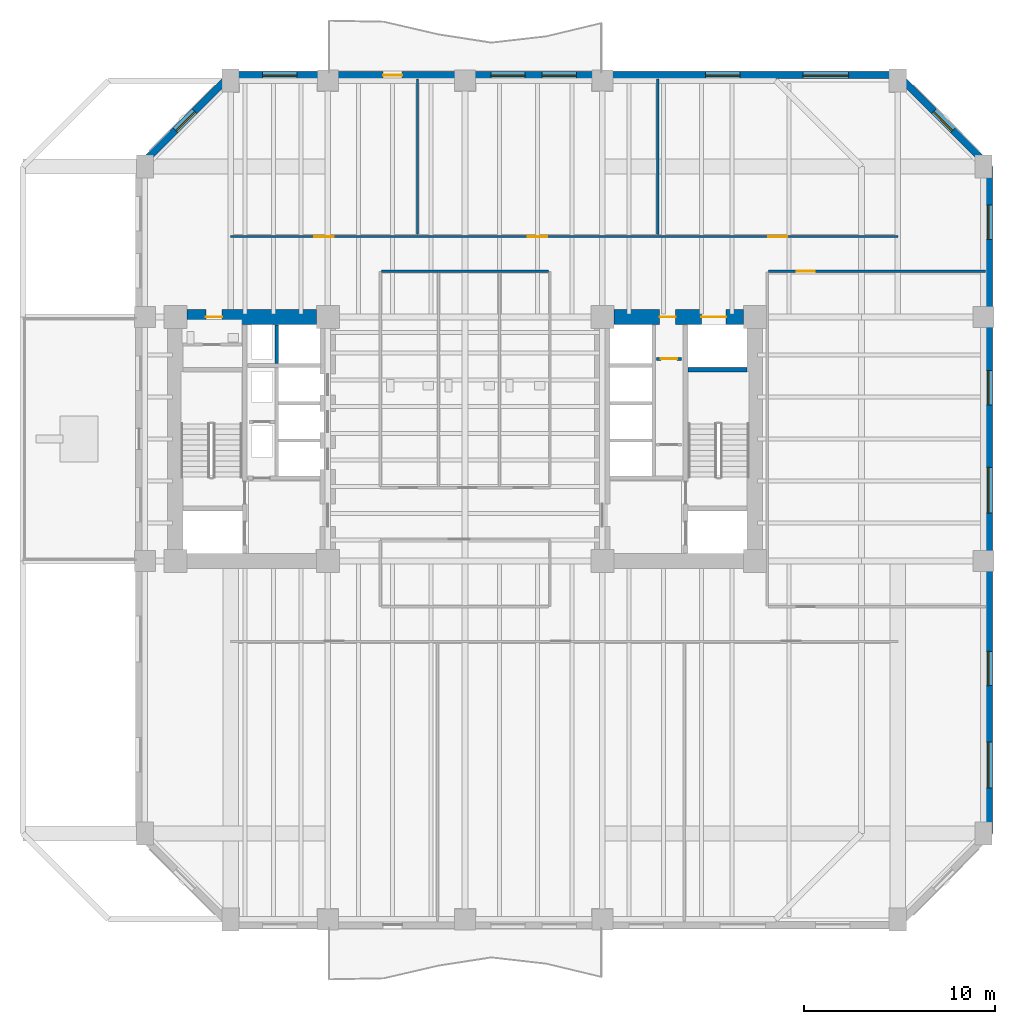
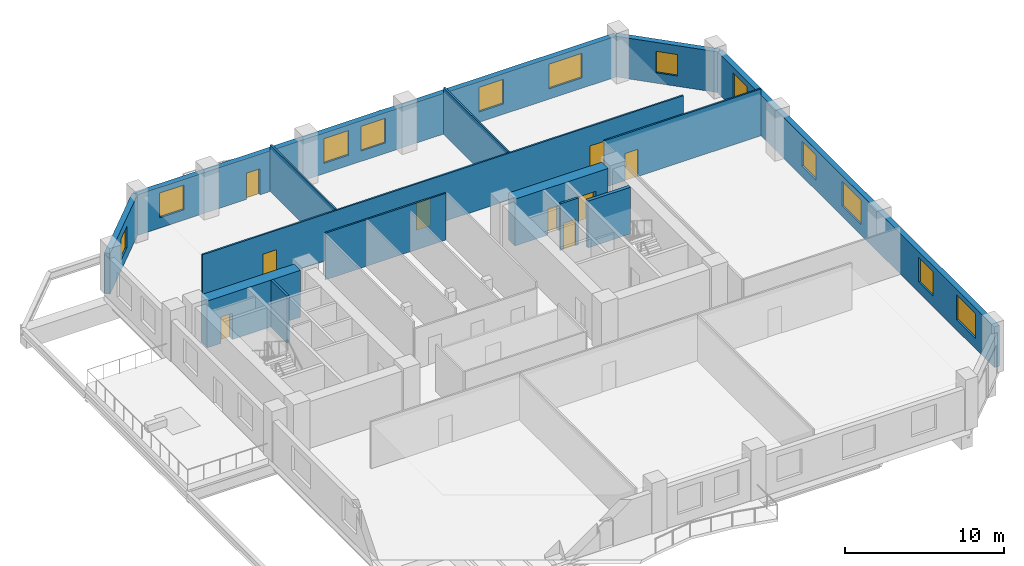
# One storey, part 5 of 11: 14 walls, 12 windows, 9 doors, 21 openings.
"""IFC4 building model written with IfcOpenShell, lengths in metres."""

from ifc_helpers import new_model, si_unit, direction, frame, frame_2d, origin, place, context, subcontext, project, spatial, rectangle, extrude, material, layer, layer_set, type_object, element, fill, save


model = new_model("IFC4")

# Units and contexts
model_context = context("Model", 3, precision=1e-05, world=origin(), true_north=direction((0.0, 1.0)))
body_context = subcontext(model_context, "Body", "Model", "MODEL_VIEW")
ifc_project = project(units=[si_unit("LENGTHUNIT", "METRE"), si_unit("AREAUNIT", "SQUARE_METRE"), si_unit("VOLUMEUNIT", "CUBIC_METRE"), si_unit("PLANEANGLEUNIT", "RADIAN"), si_unit("MASSUNIT", "GRAM", prefix="KILO")], contexts=[model_context])

# Site, building, storey
site_placement = place(None, origin())
site = spatial("IfcSite", under=ifc_project, at=site_placement, CompositionType="ELEMENT")
building_placement = place(site_placement, origin())
building = spatial("IfcBuilding", under=site, at=building_placement, Name="Kranthara Brick Stack", CompositionType="ELEMENT")
storey_placement = place(building_placement, frame((0.0, 0.0, 47.699951171875)))
storey = spatial("IfcBuildingStorey", under=building, at=storey_placement, Name="L11", CompositionType="ELEMENT", Elevation=47.699951171875)

# Wall, opening, window
ifc_material_1 = material(Name="Kiln-fired clay brick masonry M15", Category="masonry")
ifc_layer_1 = layer(ifc_material_1, 0.3798828125)
ifc_layer_set_1 = layer_set([ifc_layer_1], Name="Kiln-fired clay brick masonry M15")
wall_type_1 = type_object("IfcWallType", Name="WL-BRK-PIER-380", PredefinedType="STANDARD", material=ifc_layer_set_1)
wall_1_placement = place(storey_placement, frame((10.909912109375, 41.5, 0.0), z_axis=(0.0, 0.0, 1.0), x_axis=(0.707106781187, 0.707106781187, 0.0)))
wall_1 = element("IfcWall", 1, at=wall_1_placement, inside=storey, type_object=wall_type_1, Name="L11 Exterior Brick Facade Wall NW 1", PredefinedType="STANDARD", context=body_context, shape_type="SweptSolid", body=[
    extrude(rectangle(XDim=6.774169921875, YDim=0.3798828125, at=frame_2d((3.38720703125, 0.0))), origin(), (0.0, 0.0, 1.0), 3.135009765625),
])
opening_1_placement = place(wall_1_placement, frame((2.68701171875, 0.0, 0.800048828125)))
opening_1 = element("IfcOpeningElement", 2, at=opening_1_placement, cuts=wall_1, Name="Opening WN10", PredefinedType="OPENING", context=body_context, shape_type="SweptSolid", body=[
    extrude(rectangle(XDim=1.39990234375, YDim=1.64990234375, at=frame_2d((0.699951171875, 0.824951171875))), frame((0.0, 0.199951171875, 0.0), z_axis=(0.0, -1.0, 0.0), x_axis=(1.0, 0.0, 0.0)), (0.0, 0.0, 1.0), 0.39990234375),
])
ifc_material_2 = material(Name="Double-glazed low-E solar control glass", Category="glass")
window_type_1 = type_object("IfcWindowType", Name="WN-CHM-1400x1750", PartitioningType="SINGLE_PANEL", PredefinedType="WINDOW", material=ifc_material_2)
window_1_placement = place(opening_1_placement, origin())
window_1 = element("IfcWindow", 3, at=window_1_placement, inside=storey, type_object=window_type_1, Name="L11 NW Chamfer Corner Window", OverallHeight=1.64990234375, OverallWidth=1.39990234375, PartitioningType="SINGLE_PANEL", PredefinedType="WINDOW", context=body_context, shape_type="SweptSolid", body=[
    extrude(rectangle(XDim=1.39990234375, YDim=1.64990234375, at=frame_2d((0.699951171875, 0.824951171875))), frame((0.0, -0.010009765625, 0.0), z_axis=(0.0, -1.0, 0.0), x_axis=(1.0, 0.0, 0.0)), (0.0, 0.0, 1.0), 0.06005859375),
])
fill(opening_1, window_1)

# Wall, openings, door, windows
wall_2_placement = place(storey_placement, frame((15.699951171875, 46.2900390625, 0.0), z_axis=(0.0, 0.0, 1.0), x_axis=(1.0, 0.0, 0.0)))
wall_2 = element("IfcWall", 4, at=wall_2_placement, inside=storey, type_object=wall_type_1, Name="L11 Exterior Brick Facade Wall NORTH 1", PredefinedType="STANDARD", context=body_context, shape_type="SweptSolid", body=[
    extrude(rectangle(XDim=35.0, YDim=0.3798828125, at=frame_2d((17.5, 0.0))), origin(), (0.0, 0.0, 1.0), 3.135009765625),
])
opening_2_placement = place(wall_2_placement, frame((8.0, 0.0, 0.0)))
opening_2 = element("IfcOpeningElement", 5, at=opening_2_placement, cuts=wall_2, Name="Opening D03", PredefinedType="OPENING", context=body_context, shape_type="SweptSolid", body=[
    extrude(rectangle(XDim=1.0, YDim=2.02001953125, at=frame_2d((0.5, 1.010009765625))), frame((0.0, 0.199951171875, 0.0), z_axis=(0.0, -1.0, 0.0), x_axis=(1.0, 0.0, 0.0)), (0.0, 0.0, 1.0), 0.39990234375),
])
opening_3_placement = place(wall_2_placement, frame((1.675048828125, 0.0, 0.800048828125)))
opening_3 = element("IfcOpeningElement", 6, at=opening_3_placement, cuts=wall_2, Name="Opening WN01", PredefinedType="OPENING", context=body_context, shape_type="SweptSolid", body=[
    extrude(rectangle(XDim=1.800048828125, YDim=1.89990234375, at=frame_2d((0.89990234375, 0.949951171875))), frame((0.0, 0.199951171875, 0.0), z_axis=(0.0, -1.0, 0.0), x_axis=(1.0, 0.0, 0.0)), (0.0, 0.0, 1.0), 0.39990234375),
])
opening_4_placement = place(wall_2_placement, frame((13.656005859375, 0.0, 0.800048828125)))
opening_4 = element("IfcOpeningElement", 7, at=opening_4_placement, cuts=wall_2, Name="Opening WN01", PredefinedType="OPENING", context=body_context, shape_type="SweptSolid", body=[
    extrude(rectangle(XDim=1.800048828125, YDim=1.89990234375, at=frame_2d((0.89990234375, 0.949951171875))), frame((0.0, 0.199951171875, 0.0), z_axis=(0.0, -1.0, 0.0), x_axis=(1.0, 0.0, 0.0)), (0.0, 0.0, 1.0), 0.39990234375),
])
opening_5_placement = place(wall_2_placement, frame((16.343994140625, 0.0, 0.800048828125)))
opening_5 = element("IfcOpeningElement", 8, at=opening_5_placement, cuts=wall_2, Name="Opening WN01", PredefinedType="OPENING", context=body_context, shape_type="SweptSolid", body=[
    extrude(rectangle(XDim=1.800048828125, YDim=1.89990234375, at=frame_2d((0.89990234375, 0.949951171875))), frame((0.0, 0.199951171875, 0.0), z_axis=(0.0, -1.0, 0.0), x_axis=(1.0, 0.0, 0.0)), (0.0, 0.0, 1.0), 0.39990234375),
])
opening_6_placement = place(wall_2_placement, frame((24.925048828125, 0.0, 0.800048828125)))
opening_6 = element("IfcOpeningElement", 9, at=opening_6_placement, cuts=wall_2, Name="Opening WN01", PredefinedType="OPENING", context=body_context, shape_type="SweptSolid", body=[
    extrude(rectangle(XDim=1.800048828125, YDim=1.89990234375, at=frame_2d((0.89990234375, 0.949951171875))), frame((0.0, 0.199951171875, 0.0), z_axis=(0.0, -1.0, 0.0), x_axis=(1.0, 0.0, 0.0)), (0.0, 0.0, 1.0), 0.39990234375),
])
opening_7_placement = place(wall_2_placement, frame((30.02490234375, 0.0, 0.800048828125)))
opening_7 = element("IfcOpeningElement", 10, at=opening_7_placement, cuts=wall_2, Name="Opening WN02", PredefinedType="OPENING", context=body_context, shape_type="SweptSolid", body=[
    extrude(rectangle(XDim=2.39990234375, YDim=1.89990234375, at=frame_2d((1.199951171875, 0.949951171875))), frame((0.0, 0.199951171875, 0.0), z_axis=(0.0, -1.0, 0.0), x_axis=(1.0, 0.0, 0.0)), (0.0, 0.0, 1.0), 0.39990234375),
])
ifc_material_3 = material(Name="Bronze anodised aluminium and laminated glass", Category="aluminium")
door_type_1 = type_object("IfcDoorType", Name="DR-BALC-1000", OperationType="NOTDEFINED", PredefinedType="DOOR", material=ifc_material_3)
door_1_placement = place(opening_2_placement, origin())
door_1 = element("IfcDoor", 11, at=door_1_placement, inside=storey, type_object=door_type_1, Name="L11 North Balcony Terrace Door", OperationType="SINGLE_SWING_RIGHT", OverallHeight=2.02001953125, OverallWidth=1.0, PredefinedType="DOOR", context=body_context, shape_type="SweptSolid", body=[
    extrude(rectangle(XDim=1.0, YDim=2.02001953125, at=frame_2d((0.5, 1.010009765625))), frame((0.0, 0.02490234375, 0.0), z_axis=(0.0, -1.0, 0.0), x_axis=(1.0, 0.0, 0.0)), (0.0, 0.0, 1.0), 0.050048828125),
])
fill(opening_2, door_1)
ifc_material_4 = material(Name="Double-glazed low-E solar control glass", Category="glass")
window_type_2 = type_object("IfcWindowType", Name="WN-OFF-1800x2000", PartitioningType="SINGLE_PANEL", PredefinedType="WINDOW", material=ifc_material_4)
window_2_placement = place(opening_3_placement, origin())
window_2 = element("IfcWindow", 12, at=window_2_placement, inside=storey, type_object=window_type_2, Name="L11 North Deep-Set Brick Window 01", OverallHeight=1.89990234375, OverallWidth=1.800048828125, PartitioningType="SINGLE_PANEL", PredefinedType="WINDOW", context=body_context, shape_type="SweptSolid", body=[
    extrude(rectangle(XDim=1.800048828125, YDim=1.89990234375, at=frame_2d((0.89990234375, 0.949951171875))), frame((0.0, -0.010009765625, 0.0), z_axis=(0.0, -1.0, 0.0), x_axis=(1.0, 0.0, 0.0)), (0.0, 0.0, 1.0), 0.06005859375),
])
fill(opening_3, window_2)
window_3_placement = place(opening_4_placement, origin())
window_3 = element("IfcWindow", 13, at=window_3_placement, inside=storey, type_object=window_type_2, Name="L11 North Deep-Set Brick Window 02", OverallHeight=1.89990234375, OverallWidth=1.800048828125, PartitioningType="SINGLE_PANEL", PredefinedType="WINDOW", context=body_context, shape_type="SweptSolid", body=[
    extrude(rectangle(XDim=1.800048828125, YDim=1.89990234375, at=frame_2d((0.89990234375, 0.949951171875))), frame((0.0, -0.010009765625, 0.0), z_axis=(0.0, -1.0, 0.0), x_axis=(1.0, 0.0, 0.0)), (0.0, 0.0, 1.0), 0.06005859375),
])
fill(opening_4, window_3)
window_4_placement = place(opening_5_placement, origin())
window_4 = element("IfcWindow", 14, at=window_4_placement, inside=storey, type_object=window_type_2, Name="L11 North Deep-Set Brick Window 03", OverallHeight=1.89990234375, OverallWidth=1.800048828125, PartitioningType="SINGLE_PANEL", PredefinedType="WINDOW", context=body_context, shape_type="SweptSolid", body=[
    extrude(rectangle(XDim=1.800048828125, YDim=1.89990234375, at=frame_2d((0.89990234375, 0.949951171875))), frame((0.0, -0.010009765625, 0.0), z_axis=(0.0, -1.0, 0.0), x_axis=(1.0, 0.0, 0.0)), (0.0, 0.0, 1.0), 0.06005859375),
])
fill(opening_5, window_4)
window_5_placement = place(opening_6_placement, origin())
window_5 = element("IfcWindow", 15, at=window_5_placement, inside=storey, type_object=window_type_2, Name="L11 North Deep-Set Brick Window 04", OverallHeight=1.89990234375, OverallWidth=1.800048828125, PartitioningType="SINGLE_PANEL", PredefinedType="WINDOW", context=body_context, shape_type="SweptSolid", body=[
    extrude(rectangle(XDim=1.800048828125, YDim=1.89990234375, at=frame_2d((0.89990234375, 0.949951171875))), frame((0.0, -0.010009765625, 0.0), z_axis=(0.0, -1.0, 0.0), x_axis=(1.0, 0.0, 0.0)), (0.0, 0.0, 1.0), 0.06005859375),
])
fill(opening_6, window_5)
ifc_material_5 = material(Name="Double-glazed low-E solar control glass", Category="glass")
window_type_3 = type_object("IfcWindowType", Name="WN-OFF-2400x2000", PartitioningType="DOUBLE_PANEL_VERTICAL", PredefinedType="WINDOW", material=ifc_material_5)
window_6_placement = place(opening_7_placement, origin())
window_6 = element("IfcWindow", 16, at=window_6_placement, inside=storey, type_object=window_type_3, Name="L11 North Deep-Set Brick Window 05", OverallHeight=1.89990234375, OverallWidth=2.39990234375, PartitioningType="SINGLE_PANEL", PredefinedType="WINDOW", context=body_context, shape_type="SweptSolid", body=[
    extrude(rectangle(XDim=2.39990234375, YDim=1.89990234375, at=frame_2d((1.199951171875, 0.949951171875))), frame((0.0, -0.010009765625, 0.0), z_axis=(0.0, -1.0, 0.0), x_axis=(1.0, 0.0, 0.0)), (0.0, 0.0, 1.0), 0.06005859375),
])
fill(opening_7, window_6)

# Wall, opening, window
wall_3_placement = place(storey_placement, frame((50.699951171875, 46.2900390625, 0.0), z_axis=(0.0, 0.0, 1.0), x_axis=(0.707106781187, -0.707106781187, 0.0)))
wall_3 = element("IfcWall", 17, at=wall_3_placement, inside=storey, type_object=wall_type_1, Name="L11 Exterior Brick Facade Wall NE 1", PredefinedType="STANDARD", context=body_context, shape_type="SweptSolid", body=[
    extrude(rectangle(XDim=6.774169921875, YDim=0.3798828125, at=frame_2d((3.38720703125, 0.0))), origin(), (0.0, 0.0, 1.0), 3.135009765625),
])
opening_8_placement = place(wall_3_placement, frame((2.68701171875, 0.0, 0.800048828125)))
opening_8 = element("IfcOpeningElement", 18, at=opening_8_placement, cuts=wall_3, Name="Opening WN10", PredefinedType="OPENING", context=body_context, shape_type="SweptSolid", body=[
    extrude(rectangle(XDim=1.39990234375, YDim=1.64990234375, at=frame_2d((0.699951171875, 0.824951171875))), frame((0.0, 0.199951171875, 0.0), z_axis=(0.0, -1.0, 0.0), x_axis=(1.0, 0.0, 0.0)), (0.0, 0.0, 1.0), 0.39990234375),
])
window_7_placement = place(opening_8_placement, origin())
window_7 = element("IfcWindow", 19, at=window_7_placement, inside=storey, type_object=window_type_1, Name="L11 NE Chamfer Corner Window", OverallHeight=1.64990234375, OverallWidth=1.39990234375, PartitioningType="SINGLE_PANEL", PredefinedType="WINDOW", context=body_context, shape_type="SweptSolid", body=[
    extrude(rectangle(XDim=1.39990234375, YDim=1.64990234375, at=frame_2d((0.699951171875, 0.824951171875))), frame((0.0, -0.010009765625, 0.0), z_axis=(0.0, -1.0, 0.0), x_axis=(1.0, 0.0, 0.0)), (0.0, 0.0, 1.0), 0.06005859375),
])
fill(opening_8, window_7)

# Wall, openings, windows
wall_4_placement = place(storey_placement, frame((55.489990234375, 41.5, 0.0), z_axis=(0.0, 0.0, 1.0), x_axis=(0.0, -1.0, 0.0)))
wall_4 = element("IfcWall", 20, at=wall_4_placement, inside=storey, type_object=wall_type_1, Name="L11 Exterior Brick Facade Wall EAST 1", PredefinedType="STANDARD", context=body_context, shape_type="SweptSolid", body=[
    extrude(rectangle(XDim=35.0, YDim=0.3798828125, at=frame_2d((17.5, 0.0))), origin(), (0.0, 0.0, 1.0), 3.135009765625),
])
opening_9_placement = place(wall_4_placement, frame((2.02490234375, 0.0, 0.800048828125)))
opening_9 = element("IfcOpeningElement", 21, at=opening_9_placement, cuts=wall_4, Name="Opening WN01", PredefinedType="OPENING", context=body_context, shape_type="SweptSolid", body=[
    extrude(rectangle(XDim=1.800048828125, YDim=1.89990234375, at=frame_2d((0.89990234375, 0.949951171875))), frame((0.0, 0.199951171875, 0.0), z_axis=(0.0, -1.0, 0.0), x_axis=(1.0, 0.0, 0.0)), (0.0, 0.0, 1.0), 0.39990234375),
])
opening_10_placement = place(wall_4_placement, frame((10.7119140625, 0.0, 0.800048828125)))
opening_10 = element("IfcOpeningElement", 22, at=opening_10_placement, cuts=wall_4, Name="Opening WN01", PredefinedType="OPENING", context=body_context, shape_type="SweptSolid", body=[
    extrude(rectangle(XDim=1.800048828125, YDim=1.89990234375, at=frame_2d((0.89990234375, 0.949951171875))), frame((0.0, 0.199951171875, 0.0), z_axis=(0.0, -1.0, 0.0), x_axis=(1.0, 0.0, 0.0)), (0.0, 0.0, 1.0), 0.39990234375),
])
opening_11_placement = place(wall_4_placement, frame((15.7880859375, 0.0, 0.800048828125)))
opening_11 = element("IfcOpeningElement", 23, at=opening_11_placement, cuts=wall_4, Name="Opening WN02", PredefinedType="OPENING", context=body_context, shape_type="SweptSolid", body=[
    extrude(rectangle(XDim=2.39990234375, YDim=1.89990234375, at=frame_2d((1.199951171875, 0.949951171875))), frame((0.0, 0.199951171875, 0.0), z_axis=(0.0, -1.0, 0.0), x_axis=(1.0, 0.0, 0.0)), (0.0, 0.0, 1.0), 0.39990234375),
])
opening_12_placement = place(wall_4_placement, frame((25.443115234375, 0.0, 0.800048828125)))
opening_12 = element("IfcOpeningElement", 24, at=opening_12_placement, cuts=wall_4, Name="Opening WN01", PredefinedType="OPENING", context=body_context, shape_type="SweptSolid", body=[
    extrude(rectangle(XDim=1.800048828125, YDim=1.89990234375, at=frame_2d((0.89990234375, 0.949951171875))), frame((0.0, 0.199951171875, 0.0), z_axis=(0.0, -1.0, 0.0), x_axis=(1.0, 0.0, 0.0)), (0.0, 0.0, 1.0), 0.39990234375),
])
opening_13_placement = place(wall_4_placement, frame((30.20703125, 0.0, 0.800048828125)))
opening_13 = element("IfcOpeningElement", 25, at=opening_13_placement, cuts=wall_4, Name="Opening WN02", PredefinedType="OPENING", context=body_context, shape_type="SweptSolid", body=[
    extrude(rectangle(XDim=2.39990234375, YDim=1.89990234375, at=frame_2d((1.199951171875, 0.949951171875))), frame((0.0, 0.199951171875, 0.0), z_axis=(0.0, -1.0, 0.0), x_axis=(1.0, 0.0, 0.0)), (0.0, 0.0, 1.0), 0.39990234375),
])
window_8_placement = place(opening_9_placement, origin())
window_8 = element("IfcWindow", 26, at=window_8_placement, inside=storey, type_object=window_type_2, Name="L11 East Deep-Set Brick Window 01", OverallHeight=1.89990234375, OverallWidth=1.800048828125, PartitioningType="SINGLE_PANEL", PredefinedType="WINDOW", context=body_context, shape_type="SweptSolid", body=[
    extrude(rectangle(XDim=1.800048828125, YDim=1.89990234375, at=frame_2d((0.89990234375, 0.949951171875))), frame((0.0, -0.010009765625, 0.0), z_axis=(0.0, -1.0, 0.0), x_axis=(1.0, 0.0, 0.0)), (0.0, 0.0, 1.0), 0.06005859375),
])
fill(opening_9, window_8)
window_9_placement = place(opening_10_placement, origin())
window_9 = element("IfcWindow", 27, at=window_9_placement, inside=storey, type_object=window_type_2, Name="L11 East Deep-Set Brick Window 02", OverallHeight=1.89990234375, OverallWidth=1.800048828125, PartitioningType="SINGLE_PANEL", PredefinedType="WINDOW", context=body_context, shape_type="SweptSolid", body=[
    extrude(rectangle(XDim=1.800048828125, YDim=1.89990234375, at=frame_2d((0.89990234375, 0.949951171875))), frame((0.0, -0.010009765625, 0.0), z_axis=(0.0, -1.0, 0.0), x_axis=(1.0, 0.0, 0.0)), (0.0, 0.0, 1.0), 0.06005859375),
])
fill(opening_10, window_9)
window_10_placement = place(opening_12_placement, origin())
window_10 = element("IfcWindow", 28, at=window_10_placement, inside=storey, type_object=window_type_2, Name="L11 East Deep-Set Brick Window 04", OverallHeight=1.89990234375, OverallWidth=1.800048828125, PartitioningType="SINGLE_PANEL", PredefinedType="WINDOW", context=body_context, shape_type="SweptSolid", body=[
    extrude(rectangle(XDim=1.800048828125, YDim=1.89990234375, at=frame_2d((0.89990234375, 0.949951171875))), frame((0.0, -0.010009765625, 0.0), z_axis=(0.0, -1.0, 0.0), x_axis=(1.0, 0.0, 0.0)), (0.0, 0.0, 1.0), 0.06005859375),
])
fill(opening_12, window_10)
window_11_placement = place(opening_11_placement, origin())
window_11 = element("IfcWindow", 29, at=window_11_placement, inside=storey, type_object=window_type_3, Name="L11 East Deep-Set Brick Window 03", OverallHeight=1.89990234375, OverallWidth=2.39990234375, PartitioningType="SINGLE_PANEL", PredefinedType="WINDOW", context=body_context, shape_type="SweptSolid", body=[
    extrude(rectangle(XDim=2.39990234375, YDim=1.89990234375, at=frame_2d((1.199951171875, 0.949951171875))), frame((0.0, -0.010009765625, 0.0), z_axis=(0.0, -1.0, 0.0), x_axis=(1.0, 0.0, 0.0)), (0.0, 0.0, 1.0), 0.06005859375),
])
fill(opening_11, window_11)
window_12_placement = place(opening_13_placement, origin())
window_12 = element("IfcWindow", 30, at=window_12_placement, inside=storey, type_object=window_type_3, Name="L11 East Deep-Set Brick Window 05", OverallHeight=1.89990234375, OverallWidth=2.39990234375, PartitioningType="SINGLE_PANEL", PredefinedType="WINDOW", context=body_context, shape_type="SweptSolid", body=[
    extrude(rectangle(XDim=2.39990234375, YDim=1.89990234375, at=frame_2d((1.199951171875, 0.949951171875))), frame((0.0, -0.010009765625, 0.0), z_axis=(0.0, -1.0, 0.0), x_axis=(1.0, 0.0, 0.0)), (0.0, 0.0, 1.0), 0.06005859375),
])
fill(opening_13, window_12)

# Wall
ifc_material_6 = material(Name="Concrete C50/60", Category="concrete")
ifc_layer_2 = layer(ifc_material_6, 0.25)
ifc_layer_set_2 = layer_set([ifc_layer_2], Name="Concrete C50/60")
wall_type_2 = type_object("IfcWallType", Name="WL-CORE-250", PredefinedType="SHEAR", material=ifc_layer_set_2)
wall_5_placement = place(storey_placement, frame((39.68994140625, 30.830078125, 0.0), z_axis=(0.0, 0.0, 1.0), x_axis=(1.0, 0.0, 0.0)))
element("IfcWall", 31, at=wall_5_placement, inside=storey, type_object=wall_type_2, Name="L11 East Stairwell Bearing Wall EST", PredefinedType="SHEAR", context=body_context, shape_type="SweptSolid", body=[
    extrude(rectangle(XDim=3.10009765625, YDim=0.25, at=frame_2d((1.550048828125, 0.0))), origin(), (0.0, 0.0, 1.0), 3.60009765625),
])

# Wall, opening, door
ifc_material_7 = material(Name="Concrete C70/85", Category="concrete")
ifc_layer_3 = layer(ifc_material_7, 0.800048828125)
ifc_layer_set_3 = layer_set([ifc_layer_3], Name="Concrete C70/85")
wall_type_3 = type_object("IfcWallType", Name="WL-CORE-800", PredefinedType="SHEAR", material=ifc_layer_set_3)
wall_6_placement = place(storey_placement, frame((13.405029296875, 33.60009765625, 0.0), z_axis=(0.0, 0.0, 1.0), x_axis=(1.0, 0.0, 0.0)))
wall_6 = element("IfcWall", 32, at=wall_6_placement, inside=storey, type_object=wall_type_3, Name="L11 West Core Shear Wall North", PredefinedType="SHEAR", context=body_context, shape_type="SweptSolid", body=[
    extrude(rectangle(XDim=6.7900390625, YDim=0.800048828125, at=frame_2d((3.39501953125, 0.0))), origin(), (0.0, 0.0, 1.0), 3.60009765625),
])
opening_14_placement = place(wall_6_placement, frame((0.9951171875, 0.0, 0.0)))
opening_14 = element("IfcOpeningElement", 33, at=opening_14_placement, cuts=wall_6, Name="Opening D10", PredefinedType="OPENING", context=body_context, shape_type="SweptSolid", body=[
    extrude(rectangle(XDim=0.85009765625, YDim=2.02001953125, at=frame_2d((0.425048828125, 1.010009765625))), frame((0.0, 0.409912109375, 0.0), z_axis=(0.0, -1.0, 0.0), x_axis=(1.0, 0.0, 0.0)), (0.0, 0.0, 1.0), 0.820068359375),
])
ifc_material_8 = material(Name="Solid-core hardwood timber leaf in steel frame", Category="steel")
door_type_2 = type_object("IfcDoorType", Name="DR-RSR-850", OperationType="NOTDEFINED", PredefinedType="DOOR", material=ifc_material_8)
door_2_placement = place(opening_14_placement, origin())
door_2 = element("IfcDoor", 34, at=door_2_placement, inside=storey, type_object=door_type_2, Name="L11 West Core Service Door 1", OperationType="SINGLE_SWING_LEFT", OverallHeight=2.02001953125, OverallWidth=0.85009765625, PredefinedType="DOOR", context=body_context, shape_type="SweptSolid", body=[
    extrude(rectangle(XDim=0.85009765625, YDim=2.02001953125, at=frame_2d((0.425048828125, 1.010009765625))), frame((0.0, 0.02490234375, 0.0), z_axis=(0.0, -1.0, 0.0), x_axis=(1.0, 0.0, 0.0)), (0.0, 0.0, 1.0), 0.050048828125),
])
fill(opening_14, door_2)

# Wall, openings, doors
wall_7_placement = place(storey_placement, frame((35.804931640625, 33.60009765625, 0.0), z_axis=(0.0, 0.0, 1.0), x_axis=(1.0, 0.0, 0.0)))
wall_7 = element("IfcWall", 35, at=wall_7_placement, inside=storey, type_object=wall_type_3, Name="L11 East Core Shear Wall North", PredefinedType="SHEAR", context=body_context, shape_type="SweptSolid", body=[
    extrude(rectangle(XDim=6.7900390625, YDim=0.800048828125, at=frame_2d((3.39501953125, 0.0))), origin(), (0.0, 0.0, 1.0), 3.60009765625),
])
opening_15_placement = place(wall_7_placement, frame((4.594970703125, 0.0, 0.0)))
opening_15 = element("IfcOpeningElement", 36, at=opening_15_placement, cuts=wall_7, Name="Opening LD03", PredefinedType="OPENING", context=body_context, shape_type="SweptSolid", body=[
    extrude(rectangle(XDim=1.300048828125, YDim=2.14990234375, at=frame_2d((0.64990234375, 1.074951171875))), frame((0.0, 0.409912109375, 0.0), z_axis=(0.0, -1.0, 0.0), x_axis=(1.0, 0.0, 0.0)), (0.0, 0.0, 1.0), 0.820068359375),
])
opening_16_placement = place(wall_7_placement, frame((2.39501953125, 0.0, 0.0)))
opening_16 = element("IfcOpeningElement", 37, at=opening_16_placement, cuts=wall_7, Name="Opening D10", PredefinedType="OPENING", context=body_context, shape_type="SweptSolid", body=[
    extrude(rectangle(XDim=0.85009765625, YDim=2.02001953125, at=frame_2d((0.425048828125, 1.010009765625))), frame((0.0, 0.409912109375, 0.0), z_axis=(0.0, -1.0, 0.0), x_axis=(1.0, 0.0, 0.0)), (0.0, 0.0, 1.0), 0.820068359375),
])
ifc_material_9 = material(Name="Stainless steel sliding landing door", Category="steel")
door_type_3 = type_object("IfcDoorType", Name="DR-LD-SV1300", OperationType="DOUBLE_DOOR_SLIDING", PredefinedType="DOOR", material=ifc_material_9)
door_3_placement = place(opening_15_placement, origin())
door_3 = element("IfcDoor", 38, at=door_3_placement, inside=storey, type_object=door_type_3, Name="L11 Stretcher Service Lift SV-01 Landing Door", OperationType="DOUBLE_DOOR_SLIDING", OverallHeight=2.14990234375, OverallWidth=1.300048828125, PredefinedType="DOOR", context=body_context, shape_type="SweptSolid", body=[
    extrude(rectangle(XDim=1.300048828125, YDim=2.14990234375, at=frame_2d((0.64990234375, 1.074951171875))), frame((0.0, 0.02490234375, 0.0), z_axis=(0.0, -1.0, 0.0), x_axis=(1.0, 0.0, 0.0)), (0.0, 0.0, 1.0), 0.050048828125),
])
fill(opening_15, door_3)
door_4_placement = place(opening_16_placement, origin())
door_4 = element("IfcDoor", 39, at=door_4_placement, inside=storey, type_object=door_type_2, Name="L11 East Core Service Room Door", OperationType="SINGLE_SWING_LEFT", OverallHeight=2.02001953125, OverallWidth=0.85009765625, PredefinedType="DOOR", context=body_context, shape_type="SweptSolid", body=[
    extrude(rectangle(XDim=0.85009765625, YDim=2.02001953125, at=frame_2d((0.425048828125, 1.010009765625))), frame((0.0, 0.02490234375, 0.0), z_axis=(0.0, -1.0, 0.0), x_axis=(1.0, 0.0, 0.0)), (0.0, 0.0, 1.0), 0.050048828125),
])
fill(opening_16, door_4)

# Wall
ifc_material_10 = material(Name="Acoustic gypsum plasterboard partition", Category="other")
ifc_layer_4 = layer(ifc_material_10, 0.1201171875)
ifc_layer_set_4 = layer_set([ifc_layer_4], Name="Acoustic gypsum plasterboard partition")
wall_type_4 = type_object("IfcWallType", Name="WL-PART-120", PredefinedType="PARTITIONING", material=ifc_layer_set_4)
wall_8_placement = place(storey_placement, frame((23.614990234375, 36.0, 0.0), z_axis=(0.0, 0.0, 1.0), x_axis=(1.0, 0.0, 0.0)))
element("IfcWall", 40, at=wall_8_placement, inside=storey, type_object=wall_type_4, Name="L11 Interior Partition 010", PredefinedType="PARTITIONING", context=body_context, shape_type="SweptSolid", body=[
    extrude(rectangle(XDim=8.77001953125, YDim=0.1201171875, at=frame_2d((4.385009765625, 0.0))), origin(), (0.0, 0.0, 1.0), 3.60009765625),
])

# Wall, openings, doors
wall_9_placement = place(storey_placement, frame((15.699951171875, 37.820068359375, 0.0), z_axis=(0.0, 0.0, 1.0), x_axis=(1.0, 0.0, 0.0)))
wall_9 = element("IfcWall", 41, at=wall_9_placement, inside=storey, type_object=wall_type_4, Name="L11 Interior Partition 018", PredefinedType="PARTITIONING", context=body_context, shape_type="SweptSolid", body=[
    extrude(rectangle(XDim=35.0, YDim=0.1201171875, at=frame_2d((17.5, 0.0))), origin(), (0.0, 0.0, 1.0), 3.60009765625),
])
opening_17_placement = place(wall_9_placement, frame((4.39990234375, 0.0, 0.0)))
opening_17 = element("IfcOpeningElement", 42, at=opening_17_placement, cuts=wall_9, Name="Opening D13", PredefinedType="OPENING", context=body_context, shape_type="SweptSolid", body=[
    extrude(rectangle(XDim=1.0, YDim=2.10009765625, at=frame_2d((0.5, 1.050048828125))), frame((0.0, 0.070068359375, 0.0), z_axis=(0.0, -1.0, 0.0), x_axis=(1.0, 0.0, 0.0)), (0.0, 0.0, 1.0), 0.14013671875),
])
opening_18_placement = place(wall_9_placement, frame((15.60009765625, 0.0, 0.0)))
opening_18 = element("IfcOpeningElement", 43, at=opening_18_placement, cuts=wall_9, Name="Opening D13", PredefinedType="OPENING", context=body_context, shape_type="SweptSolid", body=[
    extrude(rectangle(XDim=1.0, YDim=2.10009765625, at=frame_2d((0.5, 1.050048828125))), frame((0.0, 0.070068359375, 0.0), z_axis=(0.0, -1.0, 0.0), x_axis=(1.0, 0.0, 0.0)), (0.0, 0.0, 1.0), 0.14013671875),
])
opening_19_placement = place(wall_9_placement, frame((28.199951171875, 0.0, 0.0)))
opening_19 = element("IfcOpeningElement", 44, at=opening_19_placement, cuts=wall_9, Name="Opening D13", PredefinedType="OPENING", context=body_context, shape_type="SweptSolid", body=[
    extrude(rectangle(XDim=1.0, YDim=2.10009765625, at=frame_2d((0.5, 1.050048828125))), frame((0.0, 0.070068359375, 0.0), z_axis=(0.0, -1.0, 0.0), x_axis=(1.0, 0.0, 0.0)), (0.0, 0.0, 1.0), 0.14013671875),
])
ifc_material_11 = material(Name="Solid-core hardwood timber leaf in steel frame", Category="steel")
door_type_4 = type_object("IfcDoorType", Name="DR-INT-1000", OperationType="NOTDEFINED", PredefinedType="DOOR", material=ifc_material_11)
door_5_placement = place(opening_17_placement, origin())
door_5 = element("IfcDoor", 45, at=door_5_placement, inside=storey, type_object=door_type_4, Name="L11 Open Plan Workspace 12", OperationType="SINGLE_SWING_RIGHT", OverallHeight=2.10009765625, OverallWidth=1.0, PredefinedType="DOOR", context=body_context, shape_type="SweptSolid", body=[
    extrude(rectangle(XDim=1.0, YDim=2.10009765625, at=frame_2d((0.5, 1.050048828125))), frame((0.0, 0.02490234375, 0.0), z_axis=(0.0, -1.0, 0.0), x_axis=(1.0, 0.0, 0.0)), (0.0, 0.0, 1.0), 0.050048828125),
])
fill(opening_17, door_5)
door_6_placement = place(opening_18_placement, origin())
door_6 = element("IfcDoor", 46, at=door_6_placement, inside=storey, type_object=door_type_4, Name="L11 Collaboration Lounge 13", OperationType="SINGLE_SWING_LEFT", OverallHeight=2.10009765625, OverallWidth=1.0, PredefinedType="DOOR", context=body_context, shape_type="SweptSolid", body=[
    extrude(rectangle(XDim=1.0, YDim=2.10009765625, at=frame_2d((0.5, 1.050048828125))), frame((0.0, 0.02490234375, 0.0), z_axis=(0.0, -1.0, 0.0), x_axis=(1.0, 0.0, 0.0)), (0.0, 0.0, 1.0), 0.050048828125),
])
fill(opening_18, door_6)
door_7_placement = place(opening_19_placement, origin())
door_7 = element("IfcDoor", 47, at=door_7_placement, inside=storey, type_object=door_type_4, Name="L11 Client Briefing Suite 14", OperationType="SINGLE_SWING_RIGHT", OverallHeight=2.10009765625, OverallWidth=1.0, PredefinedType="DOOR", context=body_context, shape_type="SweptSolid", body=[
    extrude(rectangle(XDim=1.0, YDim=2.10009765625, at=frame_2d((0.5, 1.050048828125))), frame((0.0, 0.02490234375, 0.0), z_axis=(0.0, -1.0, 0.0), x_axis=(1.0, 0.0, 0.0)), (0.0, 0.0, 1.0), 0.050048828125),
])
fill(opening_19, door_7)

# Walls
for number, where, z_axis, x_axis, name in (
    (48, (25.5, 37.919921875, 0.0), (0.0, 0.0, 1.0), (0.0, 1.0, 0.0), "L11 Interior Partition 019"),
    (49, (38.10009765625, 37.919921875, 0.0), (0.0, 0.0, 1.0), (0.0, 1.0, 0.0), "L11 Interior Partition 020"),
):
    element("IfcWall", number, at=place(storey_placement, frame(where, z_axis=z_axis, x_axis=x_axis)), inside=storey, type_object=wall_type_4, Name=name, PredefinedType="PARTITIONING", context=body_context, shape_type="SweptSolid", body=[
        extrude(rectangle(XDim=8.175048828125, YDim=0.1201171875, at=frame_2d((4.08740234375, 0.0))), origin(), (0.0, 0.0, 1.0), 3.60009765625),
    ])

# Wall, opening, door
wall_10_placement = place(storey_placement, frame((43.9150390625, 36.0, 0.0), z_axis=(0.0, 0.0, 1.0), x_axis=(1.0, 0.0, 0.0)))
wall_10 = element("IfcWall", 50, at=wall_10_placement, inside=storey, type_object=wall_type_4, Name="L11 Interior Partition 023", PredefinedType="PARTITIONING", context=body_context, shape_type="SweptSolid", body=[
    extrude(rectangle(XDim=11.3798828125, YDim=0.1201171875, at=frame_2d((5.68994140625, 0.0))), origin(), (0.0, 0.0, 1.0), 3.60009765625),
])
opening_20_placement = place(wall_10_placement, frame((1.485107421875, 0.0, 0.0)))
opening_20 = element("IfcOpeningElement", 51, at=opening_20_placement, cuts=wall_10, Name="Opening D14", PredefinedType="OPENING", context=body_context, shape_type="SweptSolid", body=[
    extrude(rectangle(XDim=0.949951171875, YDim=2.10009765625, at=frame_2d((0.47509765625, 1.050048828125))), frame((0.0, 0.070068359375, 0.0), z_axis=(0.0, -1.0, 0.0), x_axis=(1.0, 0.0, 0.0)), (0.0, 0.0, 1.0), 0.14013671875),
])
ifc_material_12 = material(Name="Solid-core hardwood timber leaf in steel frame", Category="steel")
door_type_5 = type_object("IfcDoorType", Name="DR-INT-950", OperationType="NOTDEFINED", PredefinedType="DOOR", material=ifc_material_12)
door_8_placement = place(opening_20_placement, origin())
door_8 = element("IfcDoor", 52, at=door_8_placement, inside=storey, type_object=door_type_5, Name="L11 East North Office 16", OperationType="SINGLE_SWING_RIGHT", OverallHeight=2.10009765625, OverallWidth=0.949951171875, PredefinedType="DOOR", context=body_context, shape_type="SweptSolid", body=[
    extrude(rectangle(XDim=0.949951171875, YDim=2.10009765625, at=frame_2d((0.47509765625, 1.050048828125))), frame((0.0, 0.02490234375, 0.0), z_axis=(0.0, -1.0, 0.0), x_axis=(1.0, 0.0, 0.0)), (0.0, 0.0, 1.0), 0.050048828125),
])
fill(opening_20, door_8)

ifc_material_13 = material(Name="Fire-rated gypsum board partition", Category="other")
ifc_layer_5 = layer(ifc_material_13, 0.14990234375)
ifc_layer_set_5 = layer_set([ifc_layer_5], Name="Fire-rated gypsum board partition")
wall_type_5 = type_object("IfcWallType", Name="WL-PART-150", PredefinedType="PARTITIONING", material=ifc_layer_set_5)
wall_11_placement = place(storey_placement, frame((38.050048828125, 31.39990234375, 0.0), z_axis=(0.0, 0.0, 1.0), x_axis=(1.0, 0.0, 0.0)))
wall_11 = element("IfcWall", 53, at=wall_11_placement, inside=storey, type_object=wall_type_5, Name="L11 Interior Partition 003", PredefinedType="PARTITIONING", context=body_context, shape_type="SweptSolid", body=[
    extrude(rectangle(XDim=1.300048828125, YDim=0.14990234375, at=frame_2d((0.64990234375, 0.0))), origin(), (0.0, 0.0, 1.0), 3.60009765625),
])
opening_21_placement = place(wall_11_placement, frame((0.219970703125, 0.0, 0.0)))
opening_21 = element("IfcOpeningElement", 54, at=opening_21_placement, cuts=wall_11, Name="Opening D10", PredefinedType="OPENING", context=body_context, shape_type="SweptSolid", body=[
    extrude(rectangle(XDim=0.85009765625, YDim=2.02001953125, at=frame_2d((0.425048828125, 1.010009765625))), frame((0.0, 0.0849609375, 0.0), z_axis=(0.0, -1.0, 0.0), x_axis=(1.0, 0.0, 0.0)), (0.0, 0.0, 1.0), 0.169921875),
])
door_9_placement = place(opening_21_placement, origin())
door_9 = element("IfcDoor", 55, at=door_9_placement, inside=storey, type_object=door_type_2, Name="L11 East Switch Door 03", OperationType="SINGLE_SWING_LEFT", OverallHeight=2.02001953125, OverallWidth=0.85009765625, PredefinedType="DOOR", context=body_context, shape_type="SweptSolid", body=[
    extrude(rectangle(XDim=0.85009765625, YDim=2.02001953125, at=frame_2d((0.425048828125, 1.010009765625))), frame((0.0, 0.02490234375, 0.0), z_axis=(0.0, -1.0, 0.0), x_axis=(1.0, 0.0, 0.0)), (0.0, 0.0, 1.0), 0.050048828125),
])
fill(opening_21, door_9)

# Wall
ifc_material_14 = material(Name="Gypsum plasterboard on acoustic twin stud", Category="other")
ifc_layer_6 = layer(ifc_material_14, 0.179931640625)
ifc_layer_set_6 = layer_set([ifc_layer_6], Name="Gypsum plasterboard on acoustic twin stud")
wall_type_6 = type_object("IfcWallType", Name="WL-PART-180", PredefinedType="PARTITIONING", material=ifc_layer_set_6)
wall_12_placement = place(storey_placement, frame((18.1201171875, 31.169921875, 0.0), z_axis=(0.0, 0.0, 1.0), x_axis=(0.0, 1.0, 0.0)))
element("IfcWall", 56, at=wall_12_placement, inside=storey, type_object=wall_type_6, Name="L11 West Hoistway Wall WBK7", PredefinedType="PARTITIONING", context=body_context, shape_type="SweptSolid", body=[
    extrude(rectangle(XDim=2.02001953125, YDim=0.179931640625, at=frame_2d((1.010009765625, 0.0))), origin(), (0.0, 0.0, 1.0), 3.60009765625),
])

save(model, "model.ifc")
